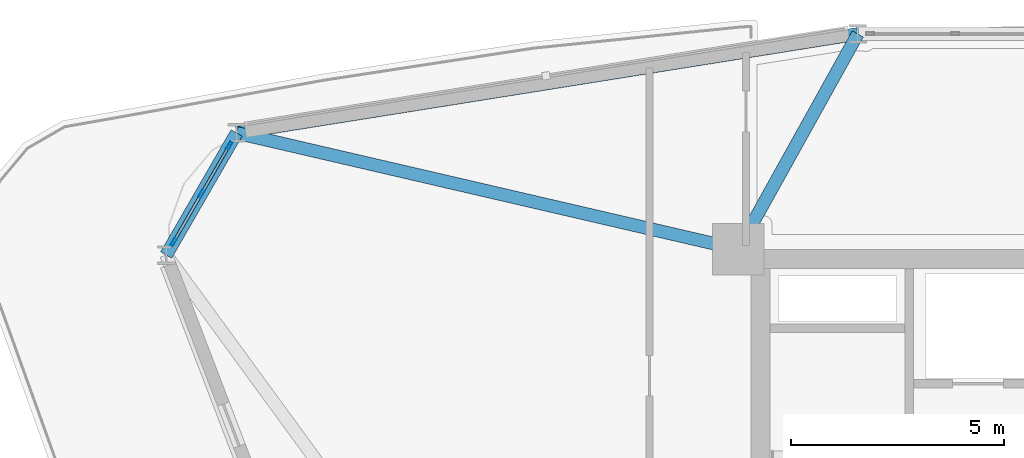
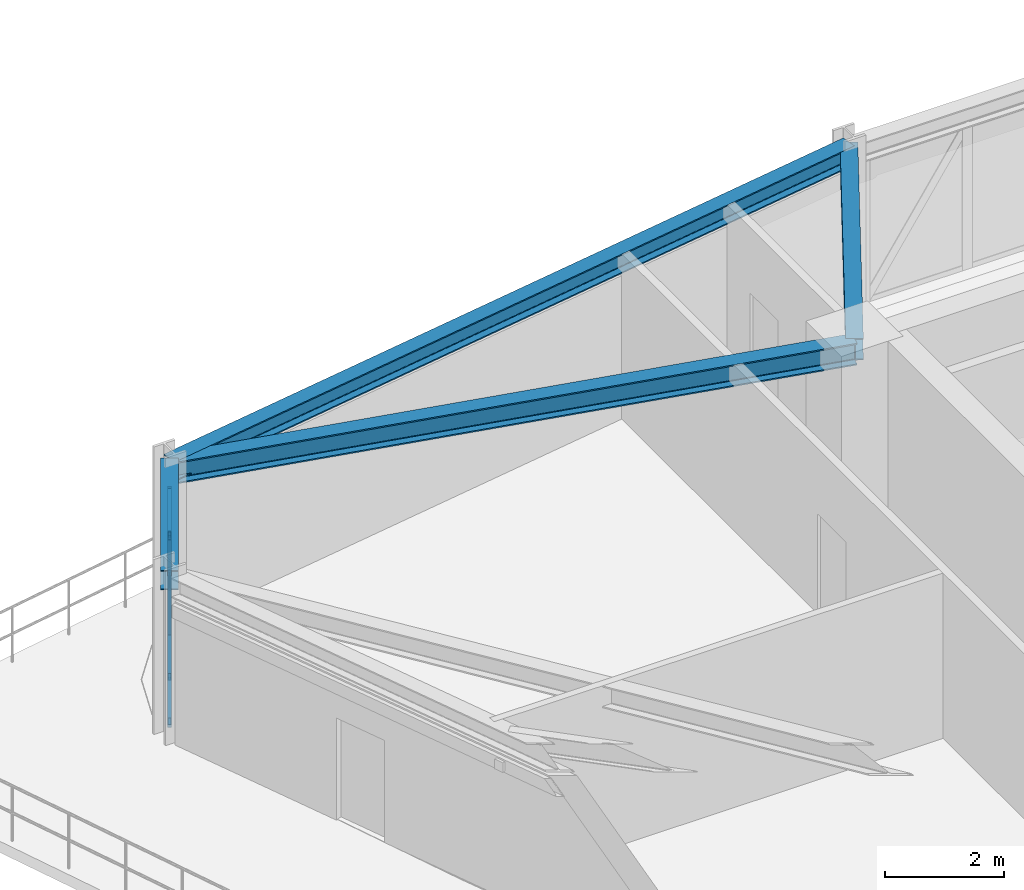
# One storey, part 9 of 18: 8 members, 4 beams, 1 element without a shape of its own.
"""IFC4 building model written with IfcOpenShell, lengths in metres."""

from ifc_helpers import new_model, si_unit, derived_unit, direction, frame, origin, origin_2d, place, context, subcontext, project, spatial, hollow_rectangle, i_section, extrude, source, transform, mapped, material, layer, layer_set, material_profile, profile_set, type_object, element, aggregate, save


model = new_model("IFC4")

# Units and contexts
model_context = context("Model", 3, precision=1e-05, world=origin(), true_north=direction((0.0, 1.0)))
body_context = subcontext(model_context, "Body", "Model", "MODEL_VIEW")
ifc_project = project(units=[si_unit("LENGTHUNIT", "METRE"), si_unit("AREAUNIT", "SQUARE_METRE"), si_unit("VOLUMEUNIT", "CUBIC_METRE"), si_unit("PLANEANGLEUNIT", "RADIAN"), si_unit("MASSUNIT", "GRAM", prefix="KILO"), derived_unit("THERMALTRANSMITTANCEUNIT", [(si_unit("POWERUNIT", "WATT"), 1), (si_unit("LENGTHUNIT", "METRE"), -2), (si_unit("THERMODYNAMICTEMPERATUREUNIT", "KELVIN"), -1)])], contexts=[model_context])

# Site, building, storey
site_placement = place(None, origin())
site = spatial("IfcSite", under=ifc_project, at=site_placement, CompositionType="ELEMENT")
building_placement = place(site_placement, origin())
building = spatial("IfcBuilding", under=site, at=building_placement, Name="Korsvarv Bourse and Concert Hall", CompositionType="ELEMENT")
storey_placement = place(building_placement, frame((0.0, 0.0, 168.60009765625)))
storey = spatial("IfcBuildingStorey", under=building, at=storey_placement, Name="L43", CompositionType="ELEMENT", Elevation=168.60009765625)

# Beams
ifc_material_1 = material(Name="Steel S355", Category="steel")
ifc_material_profile_1 = material_profile(ifc_material_1, i_section(OverallWidth=0.300048828125, OverallDepth=0.39990234375, WebThickness=0.013427734375, FlangeThickness=0.02392578125, FilletRadius=0.02099609375, at=origin_2d()), Name="HEB 400")
ifc_profile_set_1 = profile_set([ifc_material_profile_1], Name="Steel S355")
beam_type_1 = type_object("IfcBeamType", Name="BM-HEB400", PredefinedType="SPANDREL", material=ifc_profile_set_1)
shared_shape_1 = source(origin(), body_context, "Body", "SweptSolid", [
    extrude(i_section(OverallWidth=0.300048828125, OverallDepth=0.39990234375, WebThickness=0.013427734375, FlangeThickness=0.02392578125, FilletRadius=0.02099609375, at=origin_2d()), origin(), (0.0, 0.0, 1.0), 3.30322265625),
])
beam_1_placement = place(storey_placement, frame((15.09765625, 49.97509765625, 3.199951171875), z_axis=(-0.500010360262, -0.866019422202, 0.0), x_axis=(0.866019422202, -0.500010360262, 0.0)))
element("IfcBeam", 1, at=beam_1_placement, inside=storey, type_object=beam_type_1, Name="L43 beam B-09", PredefinedType="SPANDREL", context=body_context, shape_type="MappedRepresentation", body=[
    mapped(shared_shape_1, transform((0.0, 0.0, 0.0), scale=1.0)),
])
shared_shape_2 = source(origin(), body_context, "Body", "SweptSolid", [
    extrude(i_section(OverallWidth=0.300048828125, OverallDepth=0.39990234375, WebThickness=0.013427734375, FlangeThickness=0.02392578125, FilletRadius=0.02099609375, at=origin_2d()), origin(), (0.0, 0.0, 1.0), 14.740234375),
])
beam_2_placement = place(storey_placement, frame((29.654052734375, 52.2958984375, 3.199951171875), z_axis=(-0.987527508196, -0.157446564127, 0.0), x_axis=(0.157446564127, -0.987527508196, 0.0)))
element("IfcBeam", 2, at=beam_2_placement, inside=storey, type_object=beam_type_1, Name="L43 beam B-09", PredefinedType="SPANDREL", context=body_context, shape_type="MappedRepresentation", body=[
    mapped(shared_shape_2, transform((0.0, 0.0, 0.0), scale=1.0)),
])
ifc_material_profile_2 = material_profile(ifc_material_1, i_section(OverallWidth=0.300048828125, OverallDepth=0.449951171875, WebThickness=0.013916015625, FlangeThickness=0.02587890625, FilletRadius=0.02099609375, at=origin_2d()), Name="HEB 450")
ifc_profile_set_2 = profile_set([ifc_material_profile_2], Name="Steel S355")
beam_type_2 = type_object("IfcBeamType", Name="BM-HEB450", PredefinedType="SPANDREL", material=ifc_profile_set_2)
shared_shape_3 = source(origin(), body_context, "Body", "SweptSolid", [
    extrude(i_section(OverallWidth=0.300048828125, OverallDepth=0.449951171875, WebThickness=0.013916015625, FlangeThickness=0.02587890625, FilletRadius=0.02099609375, at=origin_2d()), origin(), (0.0, 0.0, 1.0), 5.772705078125),
])
beam_3_placement = place(storey_placement, frame((29.654052734375, 52.2958984375, 3.1748046875), z_axis=(-0.485732701051, -0.874107397938, 0.0), x_axis=(0.874107397938, -0.485732701051, 0.0)))
element("IfcBeam", 3, at=beam_3_placement, inside=storey, type_object=beam_type_2, Name="L43 beam B-08", PredefinedType="SPANDREL", context=body_context, shape_type="MappedRepresentation", body=[
    mapped(shared_shape_3, transform((0.0, 0.0, 0.0), scale=1.0)),
])
shared_shape_4 = source(origin(), body_context, "Body", "SweptSolid", [
    extrude(i_section(OverallWidth=0.300048828125, OverallDepth=0.449951171875, WebThickness=0.013916015625, FlangeThickness=0.02587890625, FilletRadius=0.02099609375, at=origin_2d()), origin(), (0.0, 0.0, 1.0), 12.064208984375),
])
beam_4_placement = place(storey_placement, frame((15.09765625, 49.97509765625, 3.1748046875), z_axis=(0.974154639809, -0.225882132402, 0.0), x_axis=(0.225882132402, 0.974154639809, 0.0)))
element("IfcBeam", 4, at=beam_4_placement, inside=storey, type_object=beam_type_2, Name="L43 beam B-08", PredefinedType="SPANDREL", context=body_context, shape_type="MappedRepresentation", body=[
    mapped(shared_shape_4, transform((0.0, 0.0, 0.0), scale=1.0)),
])

# Curtain wall, members
ifc_material_2 = material(Name="Anodised aluminium and triple low-E glazing", Category="glass")
ifc_layer = layer(ifc_material_2, 0.2099609375)
ifc_layer_set = layer_set([ifc_layer], Name="Anodised aluminium and triple low-E glazing")
curtain_wall_type = type_object("IfcCurtainWallType", Name="CW-SYS-2", PredefinedType="NOTDEFINED", material=ifc_layer_set)
curtain_wall_placement = place(storey_placement, origin())
curtain_wall = element("IfcCurtainWall", 5, at=curtain_wall_placement, inside=storey, type_object=curtain_wall_type, Name="L43 CW2 curtain wall CW-L43-F05", PredefinedType="NOTDEFINED")
ifc_material_3 = material(Name="Extruded aluminium EN AW-6063 T66", Category="aluminium")
ifc_material_profile_3 = material_profile(ifc_material_3, hollow_rectangle(XDim=0.070068359375, YDim=0.18994140625, WallThickness=0.0048828125, at=origin_2d()), Name="ALU-M 70x190")
ifc_profile_set_3 = profile_set([ifc_material_profile_3], Name="Extruded aluminium EN AW-6063 T66")
member_type_1 = type_object("IfcMemberType", Name="CWM-190", PredefinedType="MULLION", material=ifc_profile_set_3)
shared_shape_5 = source(origin(), body_context, "Body", "SweptSolid", [
    extrude(hollow_rectangle(XDim=0.070068359375, YDim=0.18994140625, WallThickness=0.0048828125, at=origin_2d()), origin(), (0.0, 0.0, 1.0), 3.0),
])
member_1_placement = place(storey_placement, frame((14.92578125, 49.67724609375, 0.0), z_axis=(0.0, 0.0, 1.0), x_axis=(0.866006986736, -0.500031897907, 0.0)))
member_1 = element("IfcMember", 6, at=member_1_placement, type_object=member_type_1, Name="CW2 mullion 1", PredefinedType="MULLION", context=body_context, shape_type="MappedRepresentation", body=[
    mapped(shared_shape_5, transform((0.0, 0.0, 0.0), scale=1.0)),
])
member_2_placement = place(storey_placement, frame((14.27197265625, 48.544677734375, 0.0), z_axis=(0.0, 0.0, 1.0), x_axis=(0.866006986736, -0.500031897907, 0.0)))
member_2 = element("IfcMember", 7, at=member_2_placement, type_object=member_type_1, Name="CW2 mullion 2", PredefinedType="MULLION", context=body_context, shape_type="MappedRepresentation", body=[
    mapped(shared_shape_5, transform((0.0, 0.0, 0.0), scale=1.0)),
])
member_3_placement = place(storey_placement, frame((13.617919921875, 47.412109375, 0.0), z_axis=(0.0, 0.0, 1.0), x_axis=(0.866006986736, -0.500031897907, 0.0)))
member_3 = element("IfcMember", 8, at=member_3_placement, type_object=member_type_1, Name="CW2 mullion 3", PredefinedType="MULLION", context=body_context, shape_type="MappedRepresentation", body=[
    mapped(shared_shape_5, transform((0.0, 0.0, 0.0), scale=1.0)),
])
ifc_material_profile_4 = material_profile(ifc_material_3, hollow_rectangle(XDim=0.06494140625, YDim=0.139892578125, WallThickness=0.00390625, at=origin_2d()), Name="ALU-T 65x140")
ifc_profile_set_4 = profile_set([ifc_material_profile_4], Name="Extruded aluminium EN AW-6063 T66")
member_type_2 = type_object("IfcMemberType", Name="CWT-140", PredefinedType="USERDEFINED", material=ifc_profile_set_4)
shared_shape_6 = source(origin(), body_context, "Body", "SweptSolid", [
    extrude(hollow_rectangle(XDim=0.06494140625, YDim=0.139892578125, WallThickness=0.00390625, at=origin_2d()), origin(), (0.0, 0.0, 1.0), 1.237548828125),
])
member_4_placement = place(storey_placement, frame((14.25439453125, 48.514404296875, 0.032470703125), z_axis=(-0.500063959222, -0.865988473761, 0.0), x_axis=(0.865988473761, -0.500063959222, 0.0)))
member_4 = element("IfcMember", 9, at=member_4_placement, type_object=member_type_2, Name="CW2 transom 2.1", ObjectType="TRANSOM", PredefinedType="USERDEFINED", context=body_context, shape_type="MappedRepresentation", body=[
    mapped(shared_shape_6, transform((0.0, 0.0, 0.0), scale=1.0)),
])
member_5_placement = place(storey_placement, frame((14.25439453125, 48.514404296875, 2.96728515625), z_axis=(-0.500063959222, -0.865988473761, 0.0), x_axis=(0.865988473761, -0.500063959222, 0.0)))
member_5 = element("IfcMember", 10, at=member_5_placement, type_object=member_type_2, Name="CW2 transom 2.2", ObjectType="TRANSOM", PredefinedType="USERDEFINED", context=body_context, shape_type="MappedRepresentation", body=[
    mapped(shared_shape_6, transform((0.0, 0.0, 0.0), scale=1.0)),
])
shared_shape_7 = source(origin(), body_context, "Body", "SweptSolid", [
    extrude(hollow_rectangle(XDim=0.06494140625, YDim=0.139892578125, WallThickness=0.00390625, at=origin_2d()), origin(), (0.0, 0.0, 1.0), 1.23779296875),
])
member_6_placement = place(storey_placement, frame((14.908203125, 49.64697265625, 0.032470703125), z_axis=(-0.499978546328, -0.866037789714, 0.0), x_axis=(0.866037789714, -0.499978546328, 0.0)))
member_6 = element("IfcMember", 11, at=member_6_placement, type_object=member_type_2, Name="CW2 transom 1.1", ObjectType="TRANSOM", PredefinedType="USERDEFINED", context=body_context, shape_type="MappedRepresentation", body=[
    mapped(shared_shape_7, transform((0.0, 0.0, 0.0), scale=1.0)),
])
member_7_placement = place(storey_placement, frame((14.908203125, 49.64697265625, 2.96728515625), z_axis=(-0.499978546328, -0.866037789714, 0.0), x_axis=(0.866037789714, -0.499978546328, 0.0)))
member_7 = element("IfcMember", 12, at=member_7_placement, type_object=member_type_2, Name="CW2 transom 1.2", ObjectType="TRANSOM", PredefinedType="USERDEFINED", context=body_context, shape_type="MappedRepresentation", body=[
    mapped(shared_shape_7, transform((0.0, 0.0, 0.0), scale=1.0)),
])
ifc_material_profile_5 = material_profile(ifc_material_3, hollow_rectangle(XDim=0.06494140625, YDim=0.1650390625, WallThickness=0.0048828125, at=origin_2d()), Name="ALU-M 65x165")
ifc_profile_set_5 = profile_set([ifc_material_profile_5], Name="Extruded aluminium EN AW-6063 T66")
member_type_3 = type_object("IfcMemberType", Name="CWM-165", PredefinedType="MULLION", material=ifc_profile_set_5)
shared_shape_8 = source(origin(), body_context, "Body", "SweptSolid", [
    extrude(hollow_rectangle(XDim=0.06494140625, YDim=0.1650390625, WallThickness=0.0048828125, at=origin_2d()), origin(), (0.0, 0.0, 1.0), 3.12548828125),
])
member_8_placement = place(storey_placement, frame((14.908203125, 49.64697265625, 0.06494140625), z_axis=(-0.198018395587, -0.342997544388, 0.918227313661), x_axis=(0.866037789714, -0.499978546328, 0.0)))
member_8 = element("IfcMember", 13, at=member_8_placement, type_object=member_type_3, Name="CW2 diagonal mullion 1", PredefinedType="MULLION", context=body_context, shape_type="MappedRepresentation", body=[
    mapped(shared_shape_8, transform((0.0, 0.0, 0.0), scale=1.0)),
])
aggregate(curtain_wall, [member_1, member_2, member_3, member_6, member_7, member_8, member_4, member_5])

save(model, "model.ifc")
